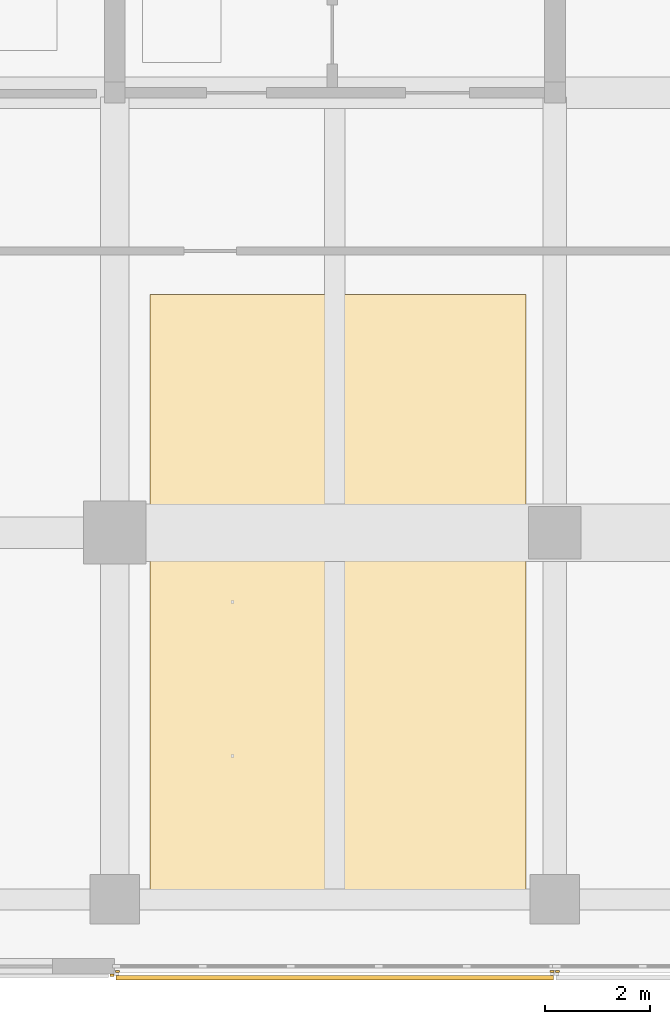
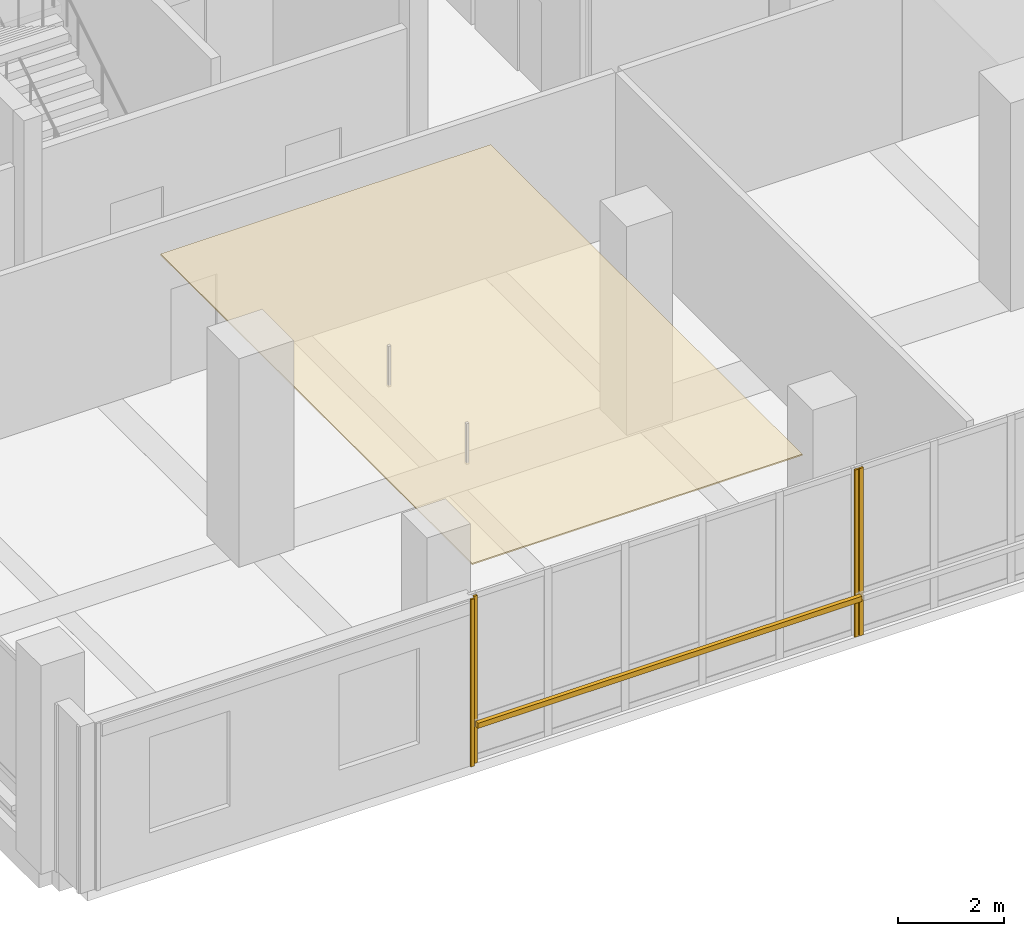
# One storey, part 91 of 122: 5 coverings, 1 shading device.
"""IFC4 building model written with IfcOpenShell, lengths in metres."""

from ifc_helpers import new_model, si_unit, direction, frame, origin, origin_2d, place, context, subcontext, project, spatial, polyline, rectangle, outline, extrude, material, layer, layer_set, type_object, element, save


model = new_model("IFC4")

# Units and contexts
model_context = context("Model", 3, precision=1e-05, world=origin(), true_north=direction((0.0, 1.0)))
body_context = subcontext(model_context, "Body", "Model", "MODEL_VIEW")
ifc_project = project(units=[si_unit("LENGTHUNIT", "METRE"), si_unit("AREAUNIT", "SQUARE_METRE"), si_unit("VOLUMEUNIT", "CUBIC_METRE"), si_unit("PLANEANGLEUNIT", "RADIAN"), si_unit("MASSUNIT", "GRAM", prefix="KILO")], contexts=[model_context])

# Site, building, storey
site_placement = place(None, origin())
site = spatial("IfcSite", under=ifc_project, at=site_placement, CompositionType="ELEMENT")
building_placement = place(site_placement, origin())
building = spatial("IfcBuilding", under=site, at=building_placement, Name="Telukmera Botanical Conservatory", CompositionType="ELEMENT")
storey_placement = place(building_placement, frame((0.0, 0.0, 10.199951171875)))
storey = spatial("IfcBuildingStorey", under=building, at=storey_placement, Name="L02", CompositionType="ELEMENT", Elevation=10.199951171875)

# Coverings
ifc_material_1 = material(Name="Mineral fibre acoustic ceiling")
ifc_layer_1 = layer(ifc_material_1, 0.030029296875)
ifc_layer_set_1 = layer_set([ifc_layer_1], Name="Mineral fibre acoustic ceiling")
covering_type_1 = type_object("IfcCoveringType", Name="COV-CEIL-30", PredefinedType="CEILING", material=ifc_layer_set_1)
covering_placement = place(storey_placement, frame((0.0, 0.0, 3.6201171875)))
element("IfcCovering", 1, at=covering_placement, inside=storey, type_object=covering_type_1, Name="L02 Herbarium Curation Studio Suspended Acoustic Ceiling", PredefinedType="CEILING", context=body_context, shape_type="SweptSolid", body=[
    extrude(outline(polyline([(59.469970703125, 10.39990234375), (66.655029296875, 10.39990234375), (66.655029296875, 22.14990234375), (59.469970703125, 22.14990234375), (59.469970703125, 10.39990234375)])), origin(), (0.0, 0.0, 1.0), 0.030029296875),
])
ifc_material_2 = material(Name="Granite-faced precast concrete C40/50", Category="masonry")
ifc_layer_2 = layer(ifc_material_2, 0.0400390625)
ifc_layer_set_2 = layer_set([ifc_layer_2], Name="Granite-faced precast concrete C40/50")
covering_type_2 = type_object("IfcCoveringType", Name="Granite Precast Column Pier Reveal Casing", PredefinedType="CLADDING", material=ifc_layer_set_2)
for number, where, z_axis, x_axis, name in (
    (2, (58.748046875, 9.14990234375, 0.0), (0.0, 0.0, 1.0), (1.0, 0.0, 0.0), "Granite Pier Reveal V4:L02:S1 R"),
    (3, (58.85205078125, 9.219970703125, 0.0), (0.0, 0.0, 1.0), (1.0, 0.0, 0.0), "Granite Pier Reveal V4:L02:S2 L"),
    (4, (67.14794921875, 9.219970703125, 0.0), (0.0, 0.0, 1.0), (1.0, 0.0, 0.0), "Granite Pier Reveal V4:L02:S2 R"),
    (5, (67.251953125, 9.219970703125, 0.0), (0.0, 0.0, 1.0), (1.0, 0.0, 0.0), "Granite Pier Reveal V4:L02:S3 L"),
):
    element("IfcCovering", number, at=place(storey_placement, frame(where, z_axis=z_axis, x_axis=x_axis)), inside=storey, type_object=covering_type_2, Name=name, PredefinedType="CLADDING", context=body_context, shape_type="SweptSolid", body=[
        extrude(rectangle(XDim=0.080078125, YDim=0.0400390625, at=origin_2d()), origin(), (0.0, 0.0, 1.0), 3.85009765625),
    ])

# Shading device
ifc_material_3 = material(Name="Perforated terracotta-anodised aluminium 6063-T6", Category="masonry")
ifc_layer_3 = layer(ifc_material_3, 0.044921875)
ifc_layer_set_3 = layer_set([ifc_layer_3], Name="Perforated terracotta-anodised aluminium 6063-T6")
shading_device_type = type_object("IfcShadingDeviceType", Name="Perforated Terracotta Aluminium Monsoon Brise Soleil", PredefinedType="JALOUSIE", material=ifc_layer_set_3)
shading_device_placement = place(storey_placement, frame((63.0, 9.10498046875, 0.889892578125), z_axis=(0.0, 0.0, 1.0), x_axis=(1.0, 0.0, 0.0)))
element("IfcShadingDevice", 6, at=shading_device_placement, inside=storey, type_object=shading_device_type, Name="Monsoon Shading BS01 V4:L02:S2", PredefinedType="JALOUSIE", context=body_context, shape_type="SweptSolid", body=[
    extrude(rectangle(XDim=8.35595703125, YDim=0.090087890625, at=origin_2d()), origin(), (0.0, 0.0, 1.0), 0.1201171875),
])

save(model, "model.ifc")
